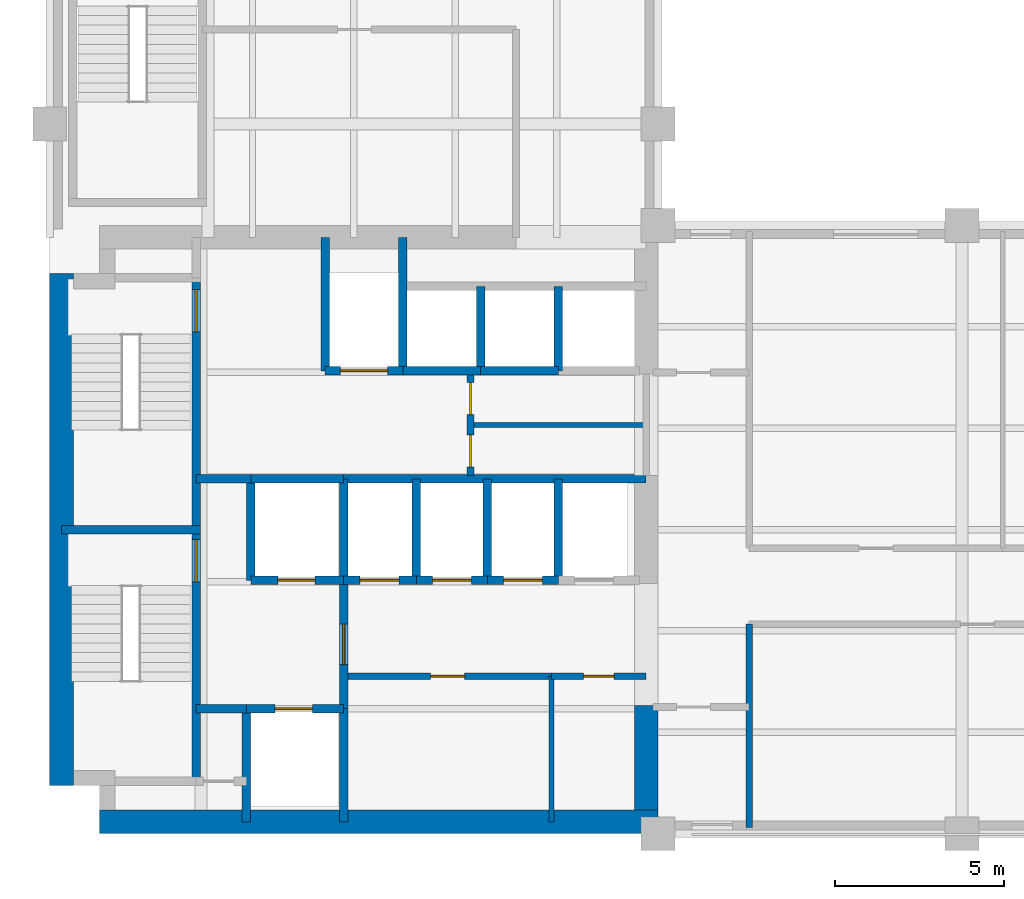
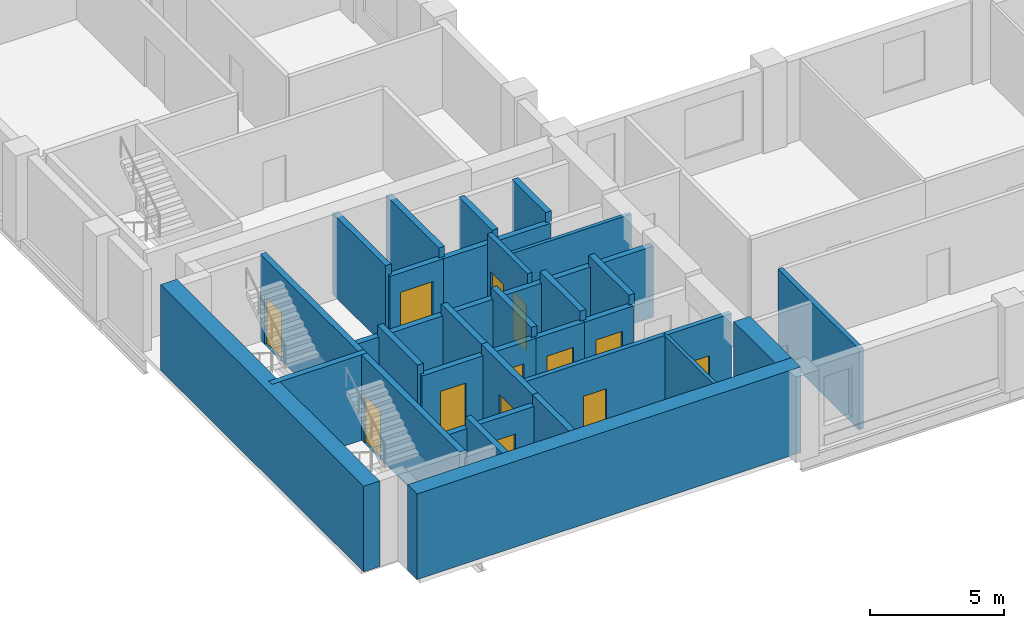
# One storey, part 3 of 7: 36 walls, 13 doors, 13 openings.
"""IFC4 building model written with IfcOpenShell, lengths in metres."""

from ifc_helpers import new_model, si_unit, direction, frame, frame_2d, origin, place, context, subcontext, project, spatial, rectangle, extrude, material, layer, layer_set, type_object, element, fill, save


model = new_model("IFC4")

# Units and contexts
model_context = context("Model", 3, precision=1e-05, world=origin(), true_north=direction((0.0, 1.0)))
body_context = subcontext(model_context, "Body", "Model", "MODEL_VIEW")
ifc_project = project(units=[si_unit("LENGTHUNIT", "METRE"), si_unit("AREAUNIT", "SQUARE_METRE"), si_unit("VOLUMEUNIT", "CUBIC_METRE"), si_unit("PLANEANGLEUNIT", "RADIAN"), si_unit("MASSUNIT", "GRAM", prefix="KILO")], contexts=[model_context])

# Site, building, storey
site_placement = place(None, origin())
site = spatial("IfcSite", under=ifc_project, at=site_placement, CompositionType="ELEMENT")
building_placement = place(site_placement, origin())
building = spatial("IfcBuilding", under=site, at=building_placement, Name="Mawjdan Bourse Tower", CompositionType="ELEMENT")
storey_placement = place(building_placement, frame((0.0, 0.0, 128.39990234375)))
storey = spatial("IfcBuildingStorey", under=building, at=storey_placement, Name="L30", CompositionType="ELEMENT", Elevation=128.39990234375)

# Wall, opening, door
ifc_material_1 = material(Name="Gypsum Fireboard Assembly")
ifc_layer_1 = layer(ifc_material_1, 0.199951171875)
ifc_layer_set_1 = layer_set([ifc_layer_1], Name="Gypsum Fireboard Assembly")
wall_type_1 = type_object("IfcWallType", Name="WL-CMP-200", PredefinedType="PARTITIONING", material=ifc_layer_set_1)
wall_1_placement = place(storey_placement, frame((14.699951171875, 7.659912109375, 0.0), z_axis=(0.0, 0.0, 1.0), x_axis=(1.0, 0.0, 0.0)))
wall_1 = element("IfcWall", 1, at=wall_1_placement, inside=storey, type_object=wall_type_1, Name="L30 Staff Wellness Lounge North Wall", PredefinedType="PARTITIONING", context=body_context, shape_type="SweptSolid", body=[
    extrude(rectangle(XDim=6.150146484375, YDim=0.199951171875, at=frame_2d((3.0751953125, 0.0))), origin(), (0.0, 0.0, 1.0), 3.690185546875),
])
opening_1_placement = place(wall_1_placement, frame((2.574951171875, 0.0, 0.0)))
opening_1 = element("IfcOpeningElement", 2, at=opening_1_placement, cuts=wall_1, Name="Opening D-L30-10", PredefinedType="OPENING", context=body_context, shape_type="SweptSolid", body=[
    extrude(rectangle(XDim=1.0, YDim=2.14990234375, at=frame_2d((0.5, 1.074951171875))), frame((0.0, 0.10986328125, 0.0), z_axis=(0.0, -1.0, 0.0), x_axis=(1.0, 0.0, 0.0)), (0.0, 0.0, 1.0), 0.219970703125),
])
ifc_material_2 = material(Name="Hardwood Acoustic Leaf", Category="wood")
door_type_1 = type_object("IfcDoorType", Name="DR-OFC-1000", OperationType="NOTDEFINED", PredefinedType="DOOR", material=ifc_material_2)
door_1_placement = place(opening_1_placement, origin())
door_1 = element("IfcDoor", 3, at=door_1_placement, inside=storey, type_object=door_type_1, Name="L30 Staff Wellness Lounge Door D-L30-10", OperationType="SINGLE_SWING_LEFT", OverallHeight=2.14990234375, OverallWidth=1.0, PredefinedType="DOOR", context=body_context, shape_type="SweptSolid", body=[
    extrude(rectangle(XDim=1.0, YDim=2.14990234375, at=frame_2d((0.5, 1.074951171875))), frame((0.0, 0.02490234375, 0.0), z_axis=(0.0, -1.0, 0.0), x_axis=(1.0, 0.0, 0.0)), (0.0, 0.0, 1.0), 0.050048828125),
])
fill(opening_1, door_1)

wall_2_placement = place(storey_placement, frame((20.85009765625, 7.659912109375, 0.0), z_axis=(0.0, 0.0, 1.0), x_axis=(1.0, 0.0, 0.0)))
wall_2 = element("IfcWall", 4, at=wall_2_placement, inside=storey, type_object=wall_type_1, Name="L30 Telemetry Control Room North Wall", PredefinedType="PARTITIONING", context=body_context, shape_type="SweptSolid", body=[
    extrude(rectangle(XDim=2.7998046875, YDim=0.199951171875, at=frame_2d((1.39990234375, 0.0))), origin(), (0.0, 0.0, 1.0), 3.690185546875),
])
opening_2_placement = place(wall_2_placement, frame((0.949951171875, 0.0, 0.0)))
opening_2 = element("IfcOpeningElement", 5, at=opening_2_placement, cuts=wall_2, Name="Opening D-L30-11", PredefinedType="OPENING", context=body_context, shape_type="SweptSolid", body=[
    extrude(rectangle(XDim=0.89990234375, YDim=2.10009765625, at=frame_2d((0.449951171875, 1.050048828125))), frame((0.0, 0.10986328125, 0.0), z_axis=(0.0, -1.0, 0.0), x_axis=(1.0, 0.0, 0.0)), (0.0, 0.0, 1.0), 0.219970703125),
])
ifc_material_3 = material(Name="Fire-Rated Steel Access Leaf", Category="steel")
door_type_2 = type_object("IfcDoorType", Name="FD-RSR-0900", OperationType="NOTDEFINED", PredefinedType="TRAPDOOR", material=ifc_material_3)
door_2_placement = place(opening_2_placement, origin())
door_2 = element("IfcDoor", 6, at=door_2_placement, inside=storey, type_object=door_type_2, Name="L30 Telemetry Control Room Door D-L30-11", OperationType="SINGLE_SWING_RIGHT", OverallHeight=2.10009765625, OverallWidth=0.89990234375, PredefinedType="TRAPDOOR", context=body_context, shape_type="SweptSolid", body=[
    extrude(rectangle(XDim=0.89990234375, YDim=2.10009765625, at=frame_2d((0.449951171875, 1.050048828125))), frame((0.0, 0.02490234375, 0.0), z_axis=(0.0, -1.0, 0.0), x_axis=(1.0, 0.0, 0.0)), (0.0, 0.0, 1.0), 0.050048828125),
])
fill(opening_2, door_2)

# Wall, openings, doors
wall_3_placement = place(storey_placement, frame((18.449951171875, 13.60009765625, 0.0), z_axis=(0.0, 0.0, 1.0), x_axis=(0.0, 1.0, 0.0)))
wall_3 = element("IfcWall", 7, at=wall_3_placement, inside=storey, type_object=wall_type_1, Name="L30 Core Restroom West Wall", PredefinedType="PARTITIONING", context=body_context, shape_type="SweptSolid", body=[
    extrude(rectangle(XDim=3.0, YDim=0.199951171875, at=frame_2d((1.5, 0.0))), origin(), (0.0, 0.0, 1.0), 3.690185546875),
])
opening_3_placement = place(wall_3_placement, frame((0.25, 0.0, 0.0)))
opening_3 = element("IfcOpeningElement", 8, at=opening_3_placement, cuts=wall_3, Name="Opening D-L30-16", PredefinedType="OPENING", context=body_context, shape_type="SweptSolid", body=[
    extrude(rectangle(XDim=0.949951171875, YDim=2.10009765625, at=frame_2d((0.47509765625, 1.050048828125))), frame((0.0, 0.10986328125, 0.0), z_axis=(0.0, -1.0, 0.0), x_axis=(1.0, 0.0, 0.0)), (0.0, 0.0, 1.0), 0.219970703125),
])
opening_4_placement = place(wall_3_placement, frame((1.800048828125, 0.0, 0.0)))
opening_4 = element("IfcOpeningElement", 9, at=opening_4_placement, cuts=wall_3, Name="Opening D-L30-17", PredefinedType="OPENING", context=body_context, shape_type="SweptSolid", body=[
    extrude(rectangle(XDim=0.949951171875, YDim=2.10009765625, at=frame_2d((0.47509765625, 1.050048828125))), frame((0.0, 0.10986328125, 0.0), z_axis=(0.0, -1.0, 0.0), x_axis=(1.0, 0.0, 0.0)), (0.0, 0.0, 1.0), 0.219970703125),
])
ifc_material_4 = material(Name="Moisture-Resistant Laminate Timber", Category="wood")
door_type_3 = type_object("IfcDoorType", Name="DR-WET-0950", OperationType="NOTDEFINED", PredefinedType="DOOR", material=ifc_material_4)
door_3_placement = place(opening_3_placement, origin())
door_3 = element("IfcDoor", 10, at=door_3_placement, inside=storey, type_object=door_type_3, Name="L30 Accessible WC Entry Door D-L30-16", OperationType="SINGLE_SWING_LEFT", OverallHeight=2.10009765625, OverallWidth=0.949951171875, PredefinedType="DOOR", context=body_context, shape_type="SweptSolid", body=[
    extrude(rectangle(XDim=0.949951171875, YDim=2.10009765625, at=frame_2d((0.47509765625, 1.050048828125))), frame((0.0, 0.02490234375, 0.0), z_axis=(0.0, -1.0, 0.0), x_axis=(1.0, 0.0, 0.0)), (0.0, 0.0, 1.0), 0.050048828125),
])
fill(opening_3, door_3)
door_4_placement = place(opening_4_placement, origin())
door_4 = element("IfcDoor", 11, at=door_4_placement, inside=storey, type_object=door_type_3, Name="L30 Female Restroom Entry Door D-L30-17", OperationType="SINGLE_SWING_RIGHT", OverallHeight=2.10009765625, OverallWidth=0.949951171875, PredefinedType="DOOR", context=body_context, shape_type="SweptSolid", body=[
    extrude(rectangle(XDim=0.949951171875, YDim=2.10009765625, at=frame_2d((0.47509765625, 1.050048828125))), frame((0.0, 0.02490234375, 0.0), z_axis=(0.0, -1.0, 0.0), x_axis=(1.0, 0.0, 0.0)), (0.0, 0.0, 1.0), 0.050048828125),
])
fill(opening_4, door_4)

# Walls
wall_4_placement = place(storey_placement, frame((26.699951171875, 3.179931640625, 0.0), z_axis=(0.0, 0.0, 1.0), x_axis=(0.0, 1.0, 0.0)))
element("IfcWall", 12, at=wall_4_placement, inside=storey, type_object=wall_type_1, Name="L30 Vestibule South East Wall", PredefinedType="PARTITIONING", context=body_context, shape_type="SweptSolid", body=[
    extrude(rectangle(XDim=6.02001953125, YDim=0.199951171875, at=frame_2d((3.010009765625, 0.0))), origin(), (0.0, 0.0, 1.0), 3.690185546875),
])
ifc_material_5 = material(Name="Concrete C70/85", Category="concrete")
ifc_layer_2 = layer(ifc_material_5, 0.699951171875)
ifc_layer_set_2 = layer_set([ifc_layer_2], Name="Concrete C70/85")
wall_type_2 = type_object("IfcWallType", Name="WL-CORE-700", PredefinedType="SHEAR", material=ifc_layer_set_2)
wall_5_placement = place(storey_placement, frame((7.47509765625, 3.35009765625, 0.0), z_axis=(0.0, 0.0, 1.0), x_axis=(1.0, 0.0, 0.0)))
element("IfcWall", 13, at=wall_5_placement, inside=storey, type_object=wall_type_2, Name="L30 Rear Core Shear Wall S", PredefinedType="SHEAR", context=body_context, shape_type="SweptSolid", body=[
    extrude(rectangle(XDim=16.52490234375, YDim=0.699951171875, at=frame_2d((8.262451171875, 0.0))), origin(), (0.0, 0.0, 1.0), 3.900146484375),
])
wall_6_placement = place(storey_placement, frame((6.35009765625, 4.425048828125, 0.0), z_axis=(0.0, 0.0, 1.0), x_axis=(0.0, 1.0, 0.0)))
element("IfcWall", 14, at=wall_6_placement, inside=storey, type_object=wall_type_2, Name="L30 Rear Core Shear Wall W", PredefinedType="SHEAR", context=body_context, shape_type="SweptSolid", body=[
    extrude(rectangle(XDim=15.14990234375, YDim=0.699951171875, at=frame_2d((7.574951171875, 0.0))), origin(), (0.0, 0.0, 1.0), 3.900146484375),
])
wall_7_placement = place(storey_placement, frame((23.64990234375, 3.699951171875, 0.0), z_axis=(0.0, 0.0, 1.0), x_axis=(0.0, 1.0, 0.0)))
element("IfcWall", 15, at=wall_7_placement, inside=storey, type_object=wall_type_2, Name="L30 Rear Core Shear Wall E1", PredefinedType="SHEAR", context=body_context, shape_type="SweptSolid", body=[
    extrude(rectangle(XDim=3.10009765625, YDim=0.699951171875, at=frame_2d((1.550048828125, 0.0))), origin(), (0.0, 0.0, 1.0), 3.900146484375),
])
ifc_material_6 = material(Name="Gypsum Acoustic Partition")
ifc_layer_3 = layer(ifc_material_6, 0.14990234375)
ifc_layer_set_3 = layer_set([ifc_layer_3], Name="Gypsum Acoustic Partition")
wall_type_3 = type_object("IfcWallType", Name="WL-PRT-150", PredefinedType="PARTITIONING", material=ifc_layer_set_3)
wall_8_placement = place(storey_placement, frame((20.85009765625, 3.35009765625, 0.0), z_axis=(0.0, 0.0, 1.0), x_axis=(0.0, 1.0, 0.0)))
element("IfcWall", 16, at=wall_8_placement, inside=storey, type_object=wall_type_3, Name="L30 Telemetry Control Room Core Split Wall", PredefinedType="PARTITIONING", context=body_context, shape_type="SweptSolid", body=[
    extrude(rectangle(XDim=4.309814453125, YDim=0.14990234375, at=frame_2d((2.15478515625, 0.0))), origin(), (0.0, 0.0, 1.0), 3.690185546875),
])
wall_9_placement = place(storey_placement, frame((18.449951171875, 15.10009765625, 0.0), z_axis=(0.0, 0.0, 1.0), x_axis=(1.0, 0.0, 0.0)))
element("IfcWall", 17, at=wall_9_placement, inside=storey, type_object=wall_type_3, Name="L30 Core Restroom Horizontal Split", PredefinedType="PARTITIONING", context=body_context, shape_type="SweptSolid", body=[
    extrude(rectangle(XDim=5.199951171875, YDim=0.14990234375, at=frame_2d((2.60009765625, 0.0))), origin(), (0.0, 0.0, 1.0), 3.690185546875),
])
ifc_material_7 = material(Name="Concrete C50/60", Category="concrete")
ifc_layer_4 = layer(ifc_material_7, 0.25)
ifc_layer_set_4 = layer_set([ifc_layer_4], Name="Concrete C50/60")
wall_type_4 = type_object("IfcWallType", Name="WL-SHFT-250", PredefinedType="PARTITIONING", material=ifc_layer_set_4)
wall_10_placement = place(storey_placement, frame((11.820068359375, 3.35009765625, 0.0), z_axis=(0.0, 0.0, 1.0), x_axis=(0.0, 1.0, 0.0)))
element("IfcWall", 18, at=wall_10_placement, inside=storey, type_object=wall_type_4, Name="L30 SW Riser & FFL01 West Wall", PredefinedType="PARTITIONING", context=body_context, shape_type="SweptSolid", body=[
    extrude(rectangle(XDim=3.349853515625, YDim=0.25, at=frame_2d((1.6748046875, 0.0))), origin(), (0.0, 0.0, 1.0), 3.690185546875),
])

# Wall, opening, door
wall_11_placement = place(storey_placement, frame((11.820068359375, 6.699951171875, 0.0), z_axis=(0.0, 0.0, 1.0), x_axis=(1.0, 0.0, 0.0)))
wall_11 = element("IfcWall", 19, at=wall_11_placement, inside=storey, type_object=wall_type_4, Name="L30 FFL-01 Front Shaft Wall", PredefinedType="PARTITIONING", context=body_context, shape_type="SweptSolid", body=[
    extrude(rectangle(XDim=2.8798828125, YDim=0.25, at=frame_2d((1.43994140625, 0.0))), origin(), (0.0, 0.0, 1.0), 3.233154296875),
])
opening_5_placement = place(wall_11_placement, frame((0.85009765625, 0.0, 0.0)))
opening_5 = element("IfcOpeningElement", 20, at=opening_5_placement, cuts=wall_11, Name="Opening LD-L30-05", PredefinedType="OPENING", context=body_context, shape_type="SweptSolid", body=[
    extrude(rectangle(XDim=1.10009765625, YDim=2.25, at=frame_2d((0.550048828125, 1.125))), frame((0.0, 0.135009765625, 0.0), z_axis=(0.0, -1.0, 0.0), x_axis=(1.0, 0.0, 0.0)), (0.0, 0.0, 1.0), 0.27001953125),
])
ifc_material_8 = material(Name="Brushed Stainless Steel", Category="steel")
door_type_4 = type_object("IfcDoorType", Name="LD-FFL-1100", OperationType="DOUBLE_DOOR_SLIDING", PredefinedType="DOOR", material=ifc_material_8)
door_5_placement = place(opening_5_placement, origin())
door_5 = element("IfcDoor", 21, at=door_5_placement, inside=storey, type_object=door_type_4, Name="L30 Firefighting Lift FFL-01 Landing Door LD-L30-05", OperationType="DOUBLE_DOOR_SLIDING", OverallHeight=2.25, OverallWidth=1.10009765625, PredefinedType="DOOR", context=body_context, shape_type="SweptSolid", body=[
    extrude(rectangle(XDim=1.10009765625, YDim=2.25, at=frame_2d((0.550048828125, 1.125))), frame((0.0, 0.02490234375, 0.0), z_axis=(0.0, -1.0, 0.0), x_axis=(1.0, 0.0, 0.0)), (0.0, 0.0, 1.0), 0.050048828125),
])
fill(opening_5, door_5)

# Wall
wall_12_placement = place(storey_placement, frame((14.699951171875, 3.35009765625, 0.0), z_axis=(0.0, 0.0, 1.0), x_axis=(0.0, 1.0, 0.0)))
element("IfcWall", 22, at=wall_12_placement, inside=storey, type_object=wall_type_4, Name="L30 FFL-01 East Shaft Wall", PredefinedType="PARTITIONING", context=body_context, shape_type="SweptSolid", body=[
    extrude(rectangle(XDim=3.349853515625, YDim=0.25, at=frame_2d((1.6748046875, 0.0))), origin(), (0.0, 0.0, 1.0), 3.690185546875),
])

# Wall, opening, door
wall_13_placement = place(storey_placement, frame((11.949951171875, 10.5, 0.0), z_axis=(0.0, 0.0, 1.0), x_axis=(1.0, 0.0, 0.0)))
wall_13 = element("IfcWall", 23, at=wall_13_placement, inside=storey, type_object=wall_type_4, Name="L30 FFL-02 Front Shaft Wall", PredefinedType="PARTITIONING", context=body_context, shape_type="SweptSolid", body=[
    extrude(rectangle(XDim=2.75, YDim=0.25, at=frame_2d((1.375, 0.0))), origin(), (0.0, 0.0, 1.0), 3.233154296875),
])
opening_6_placement = place(wall_13_placement, frame((0.800048828125, 0.0, 0.0)))
opening_6 = element("IfcOpeningElement", 24, at=opening_6_placement, cuts=wall_13, Name="Opening LD-L30-06", PredefinedType="OPENING", context=body_context, shape_type="SweptSolid", body=[
    extrude(rectangle(XDim=1.10009765625, YDim=2.25, at=frame_2d((0.550048828125, 1.125))), frame((0.0, 0.135009765625, 0.0), z_axis=(0.0, -1.0, 0.0), x_axis=(1.0, 0.0, 0.0)), (0.0, 0.0, 1.0), 0.27001953125),
])
door_6_placement = place(opening_6_placement, origin())
door_6 = element("IfcDoor", 25, at=door_6_placement, inside=storey, type_object=door_type_4, Name="L30 Firefighting Lift FFL-02 Landing Door LD-L30-06", OperationType="DOUBLE_DOOR_SLIDING", OverallHeight=2.25, OverallWidth=1.10009765625, PredefinedType="DOOR", context=body_context, shape_type="SweptSolid", body=[
    extrude(rectangle(XDim=1.10009765625, YDim=2.25, at=frame_2d((0.550048828125, 1.125))), frame((0.0, 0.02490234375, 0.0), z_axis=(0.0, -1.0, 0.0), x_axis=(1.0, 0.0, 0.0)), (0.0, 0.0, 1.0), 0.050048828125),
])
fill(opening_6, door_6)

# Walls
wall_14_placement = place(storey_placement, frame((11.949951171875, 10.5, 0.0), z_axis=(0.0, 0.0, 1.0), x_axis=(0.0, 1.0, 0.0)))
element("IfcWall", 26, at=wall_14_placement, inside=storey, type_object=wall_type_4, Name="L30 FFL-02 West Shaft Wall", PredefinedType="PARTITIONING", context=body_context, shape_type="SweptSolid", body=[
    extrude(rectangle(XDim=3.0, YDim=0.25, at=frame_2d((1.5, 0.0))), origin(), (0.0, 0.0, 1.0), 3.690185546875),
])
wall_15_placement = place(storey_placement, frame((11.949951171875, 13.5, 0.0), z_axis=(0.0, 0.0, 1.0), x_axis=(1.0, 0.0, 0.0)))
element("IfcWall", 27, at=wall_15_placement, inside=storey, type_object=wall_type_4, Name="L30 FFL-02 North Shaft Wall", PredefinedType="PARTITIONING", context=body_context, shape_type="SweptSolid", body=[
    extrude(rectangle(XDim=2.75, YDim=0.25, at=frame_2d((1.375, 0.0))), origin(), (0.0, 0.0, 1.0), 3.233154296875),
])
wall_16_placement = place(storey_placement, frame((14.699951171875, 10.5, 0.0), z_axis=(0.0, 0.0, 1.0), x_axis=(0.0, 1.0, 0.0)))
element("IfcWall", 28, at=wall_16_placement, inside=storey, type_object=wall_type_4, Name="L30 FFL-02 East Shaft Wall", PredefinedType="PARTITIONING", context=body_context, shape_type="SweptSolid", body=[
    extrude(rectangle(XDim=3.0, YDim=0.25, at=frame_2d((1.5, 0.0))), origin(), (0.0, 0.0, 1.0), 3.690185546875),
])

# Wall, opening, door
wall_17_placement = place(storey_placement, frame((14.699951171875, 6.699951171875, 0.0), z_axis=(0.0, 0.0, 1.0), x_axis=(0.0, 1.0, 0.0)))
wall_17 = element("IfcWall", 29, at=wall_17_placement, inside=storey, type_object=wall_type_4, Name="L30 Firefighting Lobby East Compartment Wall", PredefinedType="PARTITIONING", context=body_context, shape_type="SweptSolid", body=[
    extrude(rectangle(XDim=3.800048828125, YDim=0.25, at=frame_2d((1.89990234375, 0.0))), origin(), (0.0, 0.0, 1.0), 3.690185546875),
])
opening_7_placement = place(wall_17_placement, frame((1.300048828125, 0.0, 0.0)))
opening_7 = element("IfcOpeningElement", 30, at=opening_7_placement, cuts=wall_17, Name="Opening FD-L30-07", PredefinedType="OPENING", context=body_context, shape_type="SweptSolid", body=[
    extrude(rectangle(XDim=1.199951171875, YDim=2.199951171875, at=frame_2d((0.60009765625, 1.10009765625))), frame((0.0, 0.135009765625, 0.0), z_axis=(0.0, -1.0, 0.0), x_axis=(1.0, 0.0, 0.0)), (0.0, 0.0, 1.0), 0.27001953125),
])
ifc_material_9 = material(Name="Fire-Rated Steel Leaf", Category="steel")
door_type_5 = type_object("IfcDoorType", Name="FD-FFL-1200", OperationType="NOTDEFINED", PredefinedType="DOOR", material=ifc_material_9)
door_7_placement = place(opening_7_placement, origin())
door_7 = element("IfcDoor", 31, at=door_7_placement, inside=storey, type_object=door_type_5, Name="L30 Firefighting Lobby East Smoke Door FD-L30-07", OperationType="SINGLE_SWING_LEFT", OverallHeight=2.199951171875, OverallWidth=1.199951171875, PredefinedType="DOOR", context=body_context, shape_type="SweptSolid", body=[
    extrude(rectangle(XDim=1.199951171875, YDim=2.199951171875, at=frame_2d((0.60009765625, 1.10009765625))), frame((0.0, 0.02490234375, 0.0), z_axis=(0.0, -1.0, 0.0), x_axis=(1.0, 0.0, 0.0)), (0.0, 0.0, 1.0), 0.050048828125),
])
fill(opening_7, door_7)

# Walls
wall_18_placement = place(storey_placement, frame((10.330078125, 13.5, 0.0), z_axis=(0.0, 0.0, 1.0), x_axis=(1.0, 0.0, 0.0)))
element("IfcWall", 32, at=wall_18_placement, inside=storey, type_object=wall_type_4, Name="L30 Firefighting Lobby North Compartment Wall", PredefinedType="PARTITIONING", context=body_context, shape_type="SweptSolid", body=[
    extrude(rectangle(XDim=1.619873046875, YDim=0.25, at=frame_2d((0.81005859375, 0.0))), origin(), (0.0, 0.0, 1.0), 3.233154296875),
])
wall_19_placement = place(storey_placement, frame((10.330078125, 6.699951171875, 0.0), z_axis=(0.0, 0.0, 1.0), x_axis=(1.0, 0.0, 0.0)))
element("IfcWall", 33, at=wall_19_placement, inside=storey, type_object=wall_type_4, Name="L30 Firefighting Lobby South Closure Wall", PredefinedType="PARTITIONING", context=body_context, shape_type="SweptSolid", body=[
    extrude(rectangle(XDim=1.489990234375, YDim=0.25, at=frame_2d((0.7451171875, 0.0))), origin(), (0.0, 0.0, 1.0), 3.233154296875),
])

# Wall, opening, door
wall_20_placement = place(storey_placement, frame((14.14990234375, 16.699951171875, 0.0), z_axis=(0.0, 0.0, 1.0), x_axis=(1.0, 0.0, 0.0)))
wall_20 = element("IfcWall", 34, at=wall_20_placement, inside=storey, type_object=wall_type_4, Name="L30 SVL-01 Front Shaft Wall", PredefinedType="PARTITIONING", context=body_context, shape_type="SweptSolid", body=[
    extrude(rectangle(XDim=2.300048828125, YDim=0.25, at=frame_2d((1.14990234375, 0.0))), origin(), (0.0, 0.0, 1.0), 3.233154296875),
])
opening_8_placement = place(wall_20_placement, frame((0.449951171875, 0.0, 0.0)))
opening_8 = element("IfcOpeningElement", 35, at=opening_8_placement, cuts=wall_20, Name="Opening LD-L30-09", PredefinedType="OPENING", context=body_context, shape_type="SweptSolid", body=[
    extrude(rectangle(XDim=1.39990234375, YDim=2.35009765625, at=frame_2d((0.699951171875, 1.175048828125))), frame((0.0, 0.135009765625, 0.0), z_axis=(0.0, -1.0, 0.0), x_axis=(1.0, 0.0, 0.0)), (0.0, 0.0, 1.0), 0.27001953125),
])
ifc_material_10 = material(Name="Heavy-Duty Stainless Steel", Category="steel")
door_type_6 = type_object("IfcDoorType", Name="LD-SRV-1400", OperationType="DOUBLE_DOOR_SLIDING", PredefinedType="DOOR", material=ifc_material_10)
door_8_placement = place(opening_8_placement, origin())
door_8 = element("IfcDoor", 36, at=door_8_placement, inside=storey, type_object=door_type_6, Name="L30 Service Lift SVL-01 Landing Door LD-L30-09", OperationType="DOUBLE_DOOR_SLIDING", OverallHeight=2.35009765625, OverallWidth=1.39990234375, PredefinedType="DOOR", context=body_context, shape_type="SweptSolid", body=[
    extrude(rectangle(XDim=1.39990234375, YDim=2.35009765625, at=frame_2d((0.699951171875, 1.175048828125))), frame((0.0, 0.02490234375, 0.0), z_axis=(0.0, -1.0, 0.0), x_axis=(1.0, 0.0, 0.0)), (0.0, 0.0, 1.0), 0.050048828125),
])
fill(opening_8, door_8)

# Walls
for number, where, z_axis, x_axis, name in (
    (37, (14.14990234375, 16.699951171875, 0.0), (0.0, 0.0, 1.0), (0.0, 1.0, 0.0), "L30 SVL-01 West Shaft Wall"),
    (38, (16.449951171875, 16.699951171875, 0.0), (0.0, 0.0, 1.0), (0.0, 1.0, 0.0), "L30 SVL-01 East Shaft Wall"),
):
    element("IfcWall", number, at=place(storey_placement, frame(where, z_axis=z_axis, x_axis=x_axis)), inside=storey, type_object=wall_type_4, Name=name, PredefinedType="PARTITIONING", context=body_context, shape_type="SweptSolid", body=[
        extrude(rectangle(XDim=3.949951171875, YDim=0.25, at=frame_2d((1.97509765625, 0.0))), origin(), (0.0, 0.0, 1.0), 3.690185546875),
    ])
wall_21_placement = place(storey_placement, frame((16.449951171875, 16.699951171875, 0.0), z_axis=(0.0, 0.0, 1.0), x_axis=(1.0, 0.0, 0.0)))
element("IfcWall", 39, at=wall_21_placement, inside=storey, type_object=wall_type_4, Name="L30 PH-01 Front Wall", PredefinedType="PARTITIONING", context=body_context, shape_type="SweptSolid", body=[
    extrude(rectangle(XDim=2.300048828125, YDim=0.25, at=frame_2d((1.14990234375, 0.0))), origin(), (0.0, 0.0, 1.0), 3.233154296875),
])
wall_22_placement = place(storey_placement, frame((18.75, 16.699951171875, 0.0), z_axis=(0.0, 0.0, 1.0), x_axis=(0.0, 1.0, 0.0)))
element("IfcWall", 40, at=wall_22_placement, inside=storey, type_object=wall_type_4, Name="L30 PH-01 Divider Wall", PredefinedType="PARTITIONING", context=body_context, shape_type="SweptSolid", body=[
    extrude(rectangle(XDim=2.5, YDim=0.25, at=frame_2d((1.25, 0.0))), origin(), (0.0, 0.0, 1.0), 3.690185546875),
])
wall_23_placement = place(storey_placement, frame((18.75, 16.699951171875, 0.0), z_axis=(0.0, 0.0, 1.0), x_axis=(1.0, 0.0, 0.0)))
element("IfcWall", 41, at=wall_23_placement, inside=storey, type_object=wall_type_4, Name="L30 PH-02 Front Wall", PredefinedType="PARTITIONING", context=body_context, shape_type="SweptSolid", body=[
    extrude(rectangle(XDim=2.300048828125, YDim=0.25, at=frame_2d((1.14990234375, 0.0))), origin(), (0.0, 0.0, 1.0), 3.233154296875),
])
wall_24_placement = place(storey_placement, frame((21.050048828125, 16.699951171875, 0.0), z_axis=(0.0, 0.0, 1.0), x_axis=(0.0, 1.0, 0.0)))
element("IfcWall", 42, at=wall_24_placement, inside=storey, type_object=wall_type_4, Name="L30 PH-02 Divider Wall", PredefinedType="PARTITIONING", context=body_context, shape_type="SweptSolid", body=[
    extrude(rectangle(XDim=2.5, YDim=0.25, at=frame_2d((1.25, 0.0))), origin(), (0.0, 0.0, 1.0), 3.690185546875),
])

# Wall, opening, door
wall_25_placement = place(storey_placement, frame((14.699951171875, 10.5, 0.0), z_axis=(0.0, 0.0, 1.0), x_axis=(1.0, 0.0, 0.0)))
wall_25 = element("IfcWall", 43, at=wall_25_placement, inside=storey, type_object=wall_type_4, Name="L30 PM-01 Front Wall", PredefinedType="PARTITIONING", context=body_context, shape_type="SweptSolid", body=[
    extrude(rectangle(XDim=2.150146484375, YDim=0.25, at=frame_2d((1.0751953125, 0.0))), origin(), (0.0, 0.0, 1.0), 3.233154296875),
])
opening_9_placement = place(wall_25_placement, frame((0.47998046875, 0.0, 0.0)))
opening_9 = element("IfcOpeningElement", 44, at=opening_9_placement, cuts=wall_25, Name="Opening LD-L30-12", PredefinedType="OPENING", context=body_context, shape_type="SweptSolid", body=[
    extrude(rectangle(XDim=1.14990234375, YDim=2.25, at=frame_2d((0.574951171875, 1.125))), frame((0.0, 0.135009765625, 0.0), z_axis=(0.0, -1.0, 0.0), x_axis=(1.0, 0.0, 0.0)), (0.0, 0.0, 1.0), 0.27001953125),
])
door_type_7 = type_object("IfcDoorType", Name="LD-PAS-1150", OperationType="DOUBLE_DOOR_SLIDING", PredefinedType="DOOR", material=ifc_material_8)
door_9_placement = place(opening_9_placement, origin())
door_9 = element("IfcDoor", 45, at=door_9_placement, inside=storey, type_object=door_type_7, Name="L30 Lift PM-01 Landing Door LD-L30-12", OperationType="DOUBLE_DOOR_SLIDING", OverallHeight=2.25, OverallWidth=1.14990234375, PredefinedType="DOOR", context=body_context, shape_type="SweptSolid", body=[
    extrude(rectangle(XDim=1.14990234375, YDim=2.25, at=frame_2d((0.574951171875, 1.125))), frame((0.0, 0.02490234375, 0.0), z_axis=(0.0, -1.0, 0.0), x_axis=(1.0, 0.0, 0.0)), (0.0, 0.0, 1.0), 0.050048828125),
])
fill(opening_9, door_9)

# Wall
wall_26_placement = place(storey_placement, frame((16.85009765625, 10.5, 0.0), z_axis=(0.0, 0.0, 1.0), x_axis=(0.0, 1.0, 0.0)))
element("IfcWall", 46, at=wall_26_placement, inside=storey, type_object=wall_type_4, Name="L30 PM-01 Divider Wall", PredefinedType="PARTITIONING", context=body_context, shape_type="SweptSolid", body=[
    extrude(rectangle(XDim=3.0, YDim=0.25, at=frame_2d((1.5, 0.0))), origin(), (0.0, 0.0, 1.0), 3.690185546875),
])

# Wall, opening, door
wall_27_placement = place(storey_placement, frame((16.85009765625, 10.5, 0.0), z_axis=(0.0, 0.0, 1.0), x_axis=(1.0, 0.0, 0.0)))
wall_27 = element("IfcWall", 47, at=wall_27_placement, inside=storey, type_object=wall_type_4, Name="L30 PM-02 Front Wall", PredefinedType="PARTITIONING", context=body_context, shape_type="SweptSolid", body=[
    extrude(rectangle(XDim=2.099853515625, YDim=0.25, at=frame_2d((1.0498046875, 0.0))), origin(), (0.0, 0.0, 1.0), 3.233154296875),
])
opening_10_placement = place(wall_27_placement, frame((0.47998046875, 0.0, 0.0)))
opening_10 = element("IfcOpeningElement", 48, at=opening_10_placement, cuts=wall_27, Name="Opening LD-L30-13", PredefinedType="OPENING", context=body_context, shape_type="SweptSolid", body=[
    extrude(rectangle(XDim=1.14990234375, YDim=2.25, at=frame_2d((0.574951171875, 1.125))), frame((0.0, 0.135009765625, 0.0), z_axis=(0.0, -1.0, 0.0), x_axis=(1.0, 0.0, 0.0)), (0.0, 0.0, 1.0), 0.27001953125),
])
door_10_placement = place(opening_10_placement, origin())
door_10 = element("IfcDoor", 49, at=door_10_placement, inside=storey, type_object=door_type_7, Name="L30 Lift PM-02 Landing Door LD-L30-13", OperationType="DOUBLE_DOOR_SLIDING", OverallHeight=2.25, OverallWidth=1.14990234375, PredefinedType="DOOR", context=body_context, shape_type="SweptSolid", body=[
    extrude(rectangle(XDim=1.14990234375, YDim=2.25, at=frame_2d((0.574951171875, 1.125))), frame((0.0, 0.02490234375, 0.0), z_axis=(0.0, -1.0, 0.0), x_axis=(1.0, 0.0, 0.0)), (0.0, 0.0, 1.0), 0.050048828125),
])
fill(opening_10, door_10)

# Wall
wall_28_placement = place(storey_placement, frame((18.949951171875, 10.5, 0.0), z_axis=(0.0, 0.0, 1.0), x_axis=(0.0, 1.0, 0.0)))
element("IfcWall", 50, at=wall_28_placement, inside=storey, type_object=wall_type_4, Name="L30 PM-02 Divider Wall", PredefinedType="PARTITIONING", context=body_context, shape_type="SweptSolid", body=[
    extrude(rectangle(XDim=3.0, YDim=0.25, at=frame_2d((1.5, 0.0))), origin(), (0.0, 0.0, 1.0), 3.690185546875),
])

# Wall, opening, door
wall_29_placement = place(storey_placement, frame((18.949951171875, 10.5, 0.0), z_axis=(0.0, 0.0, 1.0), x_axis=(1.0, 0.0, 0.0)))
wall_29 = element("IfcWall", 51, at=wall_29_placement, inside=storey, type_object=wall_type_4, Name="L30 PM-03 Front Wall", PredefinedType="PARTITIONING", context=body_context, shape_type="SweptSolid", body=[
    extrude(rectangle(XDim=2.10009765625, YDim=0.25, at=frame_2d((1.050048828125, 0.0))), origin(), (0.0, 0.0, 1.0), 3.233154296875),
])
opening_11_placement = place(wall_29_placement, frame((0.47998046875, 0.0, 0.0)))
opening_11 = element("IfcOpeningElement", 52, at=opening_11_placement, cuts=wall_29, Name="Opening LD-L30-14", PredefinedType="OPENING", context=body_context, shape_type="SweptSolid", body=[
    extrude(rectangle(XDim=1.14990234375, YDim=2.25, at=frame_2d((0.574951171875, 1.125))), frame((0.0, 0.135009765625, 0.0), z_axis=(0.0, -1.0, 0.0), x_axis=(1.0, 0.0, 0.0)), (0.0, 0.0, 1.0), 0.27001953125),
])
door_11_placement = place(opening_11_placement, origin())
door_11 = element("IfcDoor", 53, at=door_11_placement, inside=storey, type_object=door_type_7, Name="L30 Lift PM-03 Landing Door LD-L30-14", OperationType="DOUBLE_DOOR_SLIDING", OverallHeight=2.25, OverallWidth=1.14990234375, PredefinedType="DOOR", context=body_context, shape_type="SweptSolid", body=[
    extrude(rectangle(XDim=1.14990234375, YDim=2.25, at=frame_2d((0.574951171875, 1.125))), frame((0.0, 0.02490234375, 0.0), z_axis=(0.0, -1.0, 0.0), x_axis=(1.0, 0.0, 0.0)), (0.0, 0.0, 1.0), 0.050048828125),
])
fill(opening_11, door_11)

# Walls
wall_30_placement = place(storey_placement, frame((21.050048828125, 10.5, 0.0), z_axis=(0.0, 0.0, 1.0), x_axis=(0.0, 1.0, 0.0)))
element("IfcWall", 54, at=wall_30_placement, inside=storey, type_object=wall_type_4, Name="L30 PM-03 Divider Wall", PredefinedType="PARTITIONING", context=body_context, shape_type="SweptSolid", body=[
    extrude(rectangle(XDim=3.0, YDim=0.25, at=frame_2d((1.5, 0.0))), origin(), (0.0, 0.0, 1.0), 3.690185546875),
])
wall_31_placement = place(storey_placement, frame((14.699951171875, 13.5, 0.0), z_axis=(0.0, 0.0, 1.0), x_axis=(1.0, 0.0, 0.0)))
element("IfcWall", 55, at=wall_31_placement, inside=storey, type_object=wall_type_4, Name="L30 PM Bank North Shaft Back Wall", PredefinedType="PARTITIONING", context=body_context, shape_type="SweptSolid", body=[
    extrude(rectangle(XDim=8.949951171875, YDim=0.25, at=frame_2d((4.47509765625, 0.0))), origin(), (0.0, 0.0, 1.0), 3.233154296875),
])
ifc_layer_5 = layer(ifc_material_7, 0.25)
ifc_layer_set_5 = layer_set([ifc_layer_5], Name="Concrete C50/60")
wall_type_5 = type_object("IfcWallType", Name="WL-STRW-250", PredefinedType="SHEAR", material=ifc_layer_set_5)
wall_32_placement = place(storey_placement, frame((6.35009765625, 12.0, 0.0), z_axis=(0.0, 0.0, 1.0), x_axis=(1.0, 0.0, 0.0)))
element("IfcWall", 56, at=wall_32_placement, inside=storey, type_object=wall_type_5, Name="L30 Stairwell Dividing Shaft Wall", PredefinedType="SHEAR", context=body_context, shape_type="SweptSolid", body=[
    extrude(rectangle(XDim=4.10498046875, YDim=0.25, at=frame_2d((2.052490234375, 0.0))), origin(), (0.0, 0.0, 1.0), 3.900146484375),
])

# Wall, opening, door
wall_33_placement = place(storey_placement, frame((10.330078125, 4.550048828125, 0.0), z_axis=(0.0, 0.0, 1.0), x_axis=(0.0, 1.0, 0.0)))
wall_33 = element("IfcWall", 57, at=wall_33_placement, inside=storey, type_object=wall_type_5, Name="L30 Stairwell ST1 East Enclosure Wall", PredefinedType="SHEAR", context=body_context, shape_type="SweptSolid", body=[
    extrude(rectangle(XDim=7.449951171875, YDim=0.25, at=frame_2d((3.72509765625, 0.0))), origin(), (0.0, 0.0, 1.0), 3.900146484375),
])
opening_12_placement = place(wall_33_placement, frame((5.89990234375, 0.0, 0.0)))
opening_12 = element("IfcOpeningElement", 58, at=opening_12_placement, cuts=wall_33, Name="Opening SD-L30-01", PredefinedType="OPENING", context=body_context, shape_type="SweptSolid", body=[
    extrude(rectangle(XDim=1.25, YDim=2.199951171875, at=frame_2d((0.625, 1.10009765625))), frame((0.0, 0.135009765625, 0.0), z_axis=(0.0, -1.0, 0.0), x_axis=(1.0, 0.0, 0.0)), (0.0, 0.0, 1.0), 0.27001953125),
])
door_type_8 = type_object("IfcDoorType", Name="FD-ST-1250", OperationType="NOTDEFINED", PredefinedType="DOOR", material=ifc_material_9)
door_12_placement = place(opening_12_placement, origin())
door_12 = element("IfcDoor", 59, at=door_12_placement, inside=storey, type_object=door_type_8, Name="L30 Exit Stair ST1 Fire Door SD-L30-01", OperationType="SINGLE_SWING_LEFT", OverallHeight=2.199951171875, OverallWidth=1.25, PredefinedType="DOOR", context=body_context, shape_type="SweptSolid", body=[
    extrude(rectangle(XDim=1.25, YDim=2.199951171875, at=frame_2d((0.625, 1.10009765625))), frame((0.0, 0.02490234375, 0.0), z_axis=(0.0, -1.0, 0.0), x_axis=(1.0, 0.0, 0.0)), (0.0, 0.0, 1.0), 0.050048828125),
])
fill(opening_12, door_12)

wall_34_placement = place(storey_placement, frame((10.330078125, 12.0, 0.0), z_axis=(0.0, 0.0, 1.0), x_axis=(0.0, 1.0, 0.0)))
wall_34 = element("IfcWall", 60, at=wall_34_placement, inside=storey, type_object=wall_type_5, Name="L30 Stairwell ST2 East Enclosure Wall", PredefinedType="SHEAR", context=body_context, shape_type="SweptSolid", body=[
    extrude(rectangle(XDim=7.449951171875, YDim=0.25, at=frame_2d((3.72509765625, 0.0))), origin(), (0.0, 0.0, 1.0), 3.900146484375),
])
opening_13_placement = place(wall_34_placement, frame((5.85009765625, 0.0, 0.0)))
opening_13 = element("IfcOpeningElement", 61, at=opening_13_placement, cuts=wall_34, Name="Opening SD-L30-02", PredefinedType="OPENING", context=body_context, shape_type="SweptSolid", body=[
    extrude(rectangle(XDim=1.25, YDim=2.199951171875, at=frame_2d((0.625, 1.10009765625))), frame((0.0, 0.135009765625, 0.0), z_axis=(0.0, -1.0, 0.0), x_axis=(1.0, 0.0, 0.0)), (0.0, 0.0, 1.0), 0.27001953125),
])
door_13_placement = place(opening_13_placement, origin())
door_13 = element("IfcDoor", 62, at=door_13_placement, inside=storey, type_object=door_type_8, Name="L30 Exit Stair ST2 Fire Door SD-L30-02", OperationType="SINGLE_SWING_RIGHT", OverallHeight=2.199951171875, OverallWidth=1.25, PredefinedType="DOOR", context=body_context, shape_type="SweptSolid", body=[
    extrude(rectangle(XDim=1.25, YDim=2.199951171875, at=frame_2d((0.625, 1.10009765625))), frame((0.0, 0.02490234375, 0.0), z_axis=(0.0, -1.0, 0.0), x_axis=(1.0, 0.0, 0.0)), (0.0, 0.0, 1.0), 0.050048828125),
])
fill(opening_13, door_13)

save(model, "model.ifc")
